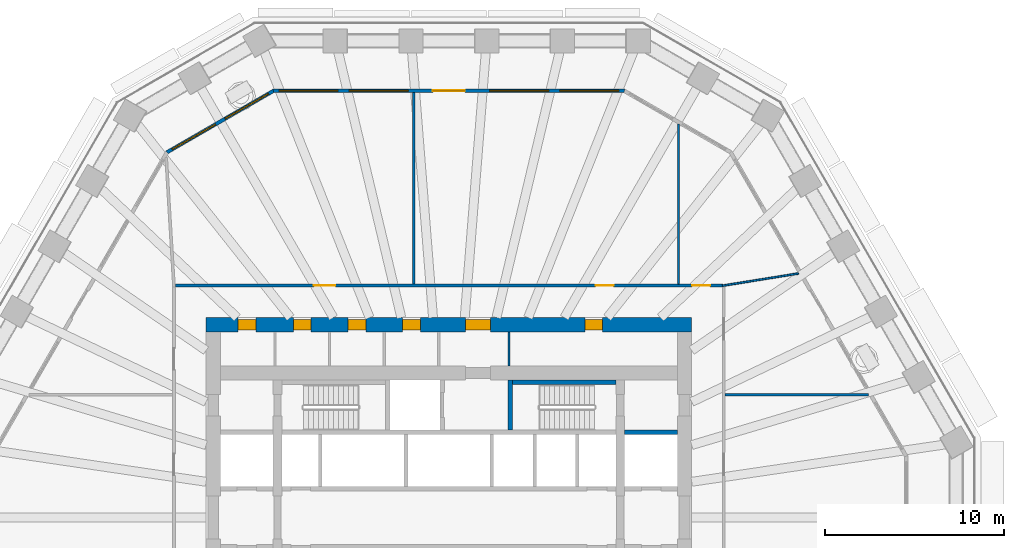
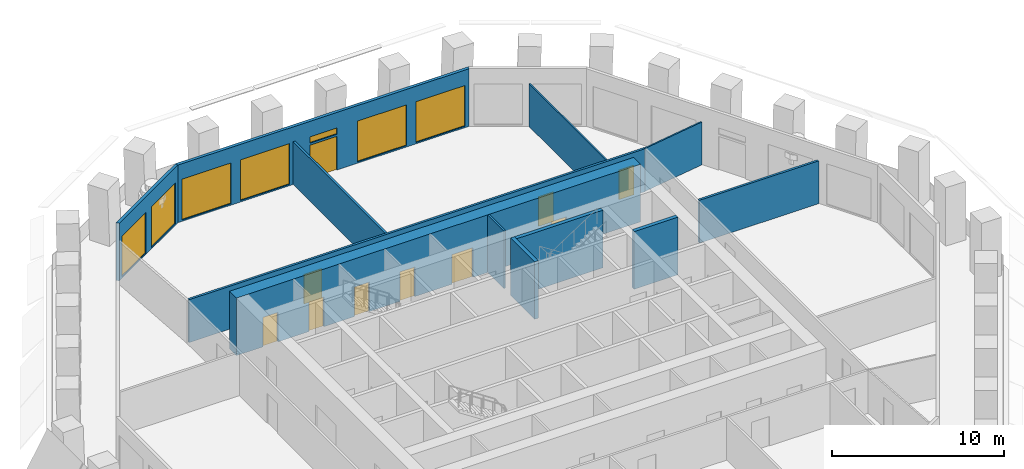
# One storey, part 7 of 12: 12 walls, 10 doors, 7 windows, 17 openings.
"""IFC4 building model written with IfcOpenShell, lengths in metres."""

import ifcopenshell
import ifcopenshell.guid

model = None  # the IFC model being written
_history = None  # IfcOwnerHistory: only IFC2X3 demands one
_inside = {}  # id of a spatial element -> (the spatial element, [elements in it])
_under = {}  # id of a project, library or spatial element -> (it, [spatial elements below it])
_declared = {}  # id of a project -> (the project, [libraries it declares])
_typed = {}  # id of a type object -> (the type object, [elements of that type])
_made_of = {}  # id of a material, layer set ... -> (it, [elements and type objects made of it])


def new_model(schema):
    """Start an empty IFC model of exactly this schema.

    Asked for "IFC4X3", IfcOpenShell would pick the latest addendum, in which some entities
    have other attributes; the version numbers below select the first issue.
    IFC2X3 requires an IfcOwnerHistory on every rooted entity: one is made here for all.
    """
    global model, _history
    if schema == "IFC4X3":
        model = ifcopenshell.file(schema_version=(4, 3, 0, 0))
    else:
        model = ifcopenshell.file(schema=schema)
    _inside.clear()
    _under.clear()
    _declared.clear()
    _typed.clear()
    _made_of.clear()
    _history = None
    if model.schema == "IFC2X3":
        org = make("IfcOrganization", Name="unknown")
        user = make(
            "IfcPersonAndOrganization",
            ThePerson=make("IfcPerson", FamilyName="unknown"),
            TheOrganization=org,
        )
        app = make(
            "IfcApplication",
            ApplicationDeveloper=org,
            Version="unknown",
            ApplicationFullName="unknown",
            ApplicationIdentifier="unknown",
        )
        _history = make(
            "IfcOwnerHistory",
            OwningUser=user,
            OwningApplication=app,
            ChangeAction="ADDED",
            CreationDate=0,
        )
    return model


def make(cls, **values):
    """One entity of the class cls with the attributes given. An attribute that is None is left unset."""
    return model.create_entity(
        cls, **{name: value for name, value in values.items() if value is not None}
    )


def rooted(cls, **values):
    """An entity with a GlobalId (a new one), such as an element, a storey or a relation."""
    return make(cls, GlobalId=ifcopenshell.guid.new(), OwnerHistory=_history, **values)


def si_unit(unit_type, name, prefix=None):
    """IfcSIUnit, for example si_unit("LENGTHUNIT", "METRE", prefix="MILLI")."""
    return make("IfcSIUnit", UnitType=unit_type, Prefix=prefix, Name=name)


def assignment(units):
    """IfcUnitAssignment: the units of a project."""
    return None if units is None else make("IfcUnitAssignment", Units=units)


def point(xyz):
    """IfcCartesianPoint."""
    return None if xyz is None else make("IfcCartesianPoint", Coordinates=xyz)


def direction(xyz):
    """IfcDirection."""
    return None if xyz is None else make("IfcDirection", DirectionRatios=xyz)


def frame(location, z_axis=None, x_axis=None):
    """IfcAxis2Placement3D, a coordinate frame: its origin and axes. An axis left out is left unset."""
    return make(
        "IfcAxis2Placement3D",
        Location=point(location),
        Axis=direction(z_axis),
        RefDirection=direction(x_axis),
    )


def frame_2d(location, x_axis=None):
    """IfcAxis2Placement2D, a coordinate frame in the plane: its origin and x axis."""
    return make(
        "IfcAxis2Placement2D", Location=point(location), RefDirection=direction(x_axis)
    )


def origin():
    """The frame at (0, 0, 0) with its axes left unset."""
    return frame((0.0, 0.0, 0.0))


def place(relative_to, where):
    """IfcLocalPlacement: puts the frame where relative to a parent placement (None: the world)."""
    return make(
        "IfcLocalPlacement", PlacementRelTo=relative_to, RelativePlacement=where
    )


def context(
    kind, dimensions, precision=None, world=None, true_north=None, identifier=None
):
    """IfcGeometricRepresentationContext, for example the 3D "Model" context."""
    return make(
        "IfcGeometricRepresentationContext",
        ContextIdentifier=identifier,
        ContextType=kind,
        CoordinateSpaceDimension=dimensions,
        Precision=precision,
        WorldCoordinateSystem=world,
        TrueNorth=true_north,
    )


def subcontext(parent, identifier, kind, view, scale=None):
    """IfcGeometricRepresentationSubContext, for example "Body" below "Model"."""
    return make(
        "IfcGeometricRepresentationSubContext",
        ContextIdentifier=identifier,
        ContextType=kind,
        ParentContext=parent,
        TargetScale=scale,
        TargetView=view,
    )


def project(units=None, contexts=None):
    """IfcProject with its units and contexts."""
    return rooted(
        "IfcProject",
        Name="project",
        RepresentationContexts=contexts,
        UnitsInContext=assignment(units),
    )


def spatial(cls, under=None, at=None, **own):
    """A site, building, storey or space (cls), placed at a placement, below another one or the project."""
    s = rooted(cls, ObjectPlacement=at, **own)
    if under is not None:
        _under.setdefault(under.id(), (under, []))[1].append(s)
    return s


def polyline(points):
    """IfcPolyline through the points."""
    return make("IfcPolyline", Points=[point(p) for p in points])


def profile(cls, at=None, kind="AREA", **sizes):
    """A parametric profile (cls). Its sizes go by their IFC names, for example OverallWidth=200.0."""
    return make(cls, ProfileType=kind, Position=at, **sizes)


def rectangle(**sizes):
    """IfcRectangleProfileDef."""
    return profile("IfcRectangleProfileDef", **sizes)


def outline(outer, holes=None, kind="AREA"):
    """IfcArbitraryClosedProfileDef: a profile drawn as a closed curve; with holes, ...WithVoids."""
    if holes is None:
        return make("IfcArbitraryClosedProfileDef", ProfileType=kind, OuterCurve=outer)
    return make(
        "IfcArbitraryProfileDefWithVoids",
        ProfileType=kind,
        OuterCurve=outer,
        InnerCurves=holes,
    )


def extrude(swept, where, along, depth):
    """IfcExtrudedAreaSolid: the profile swept, set in the frame where, extruded along a direction by depth."""
    return make(
        "IfcExtrudedAreaSolid",
        SweptArea=swept,
        Position=where,
        ExtrudedDirection=direction(along),
        Depth=depth,
    )


def shape(context_of_items, identifier, shape_type, items):
    """IfcShapeRepresentation: the items that make up one representation, for example the "Body"."""
    return make(
        "IfcShapeRepresentation",
        ContextOfItems=context_of_items,
        RepresentationIdentifier=identifier,
        RepresentationType=shape_type,
        Items=items,
    )


def material(Name=None, Category=None):
    """IfcMaterial."""
    return make("IfcMaterial", Name=Name, Category=Category)


def layer(
    of_material, thickness, ventilated=None, Name=None, Category=None, Priority=None
):
    """IfcMaterialLayer: one layer of a wall or slab, of a material (None: an air gap)."""
    return make(
        "IfcMaterialLayer",
        Material=of_material,
        LayerThickness=thickness,
        IsVentilated=ventilated,
        Name=Name,
        Category=Category,
        Priority=Priority,
    )


def layer_set(layers, Name=None):
    """IfcMaterialLayerSet."""
    return make("IfcMaterialLayerSet", MaterialLayers=layers, LayerSetName=Name)


def made_of(thing, what):
    """Note that an element or type object is made of a material, layer set ...; save() writes the relation."""
    if what is not None:
        _made_of.setdefault(what.id(), (what, []))[1].append(thing)
    return thing


def type_object(cls, material=None, **own):
    """A type object (cls), such as IfcWallType, which elements share."""
    return made_of(rooted(cls, **own), material)


def element(
    cls,
    number,
    at=None,
    inside=None,
    cuts=None,
    type_object=None,
    material=None,
    context=None,
    identifier="Body",
    shape_type=None,
    held_by="IfcProductDefinitionShape",
    body=None,
    shapes=None,
    **own,
):
    """One element of the class cls, such as IfcWall. Its Tag is "e" and its number.

    at: its placement. inside: the storey or other place that contains it. cuts: it is an
    opening in that element (IfcRelVoidsElement). A single representation is given by context,
    identifier, shape_type and body (its items); several are given by shapes. held_by: the class
    of the entity that holds the representations. save() writes the other relations.
    """
    e = rooted(cls, Tag="e%d" % number, ObjectPlacement=at, **own)
    if body is not None:
        shapes = [shape(context, identifier, shape_type, body)]
    if shapes is not None:
        e.Representation = make(held_by, Representations=shapes)
    if inside is not None:
        _inside.setdefault(inside.id(), (inside, []))[1].append(e)
    if cuts is not None:
        rooted(
            "IfcRelVoidsElement", RelatingBuildingElement=cuts, RelatedOpeningElement=e
        )
    if type_object is not None:
        _typed.setdefault(type_object.id(), (type_object, []))[1].append(e)
    return made_of(e, material)


def fill(opening, filler):
    """IfcRelFillsElement: the door or window that sits in an opening."""
    return rooted(
        "IfcRelFillsElement",
        RelatingOpeningElement=opening,
        RelatedBuildingElement=filler,
    )


def aggregate(whole, parts):
    """IfcRelAggregates: a whole, such as a stair, and the parts it consists of."""
    return rooted("IfcRelAggregates", RelatingObject=whole, RelatedObjects=parts)


def save(model, path):
    """Write the relations noted so far, then the file.

    IfcRelAggregates (storeys below a building ...), IfcRelContainedInSpatialStructure (elements
    in a storey), IfcRelDefinesByType, IfcRelAssociatesMaterial and IfcRelDeclares: one each for
    every whole, place, type object, material and project.
    """
    for whole, parts in _under.values():
        aggregate(whole, parts)
    for where, things in _inside.values():
        rooted(
            "IfcRelContainedInSpatialStructure",
            RelatedElements=things,
            RelatingStructure=where,
        )
    for kind, things in _typed.values():
        rooted("IfcRelDefinesByType", RelatedObjects=things, RelatingType=kind)
    for what, things in _made_of.values():
        rooted("IfcRelAssociatesMaterial", RelatedObjects=things, RelatingMaterial=what)
    for by, libraries in _declared.values():
        rooted("IfcRelDeclares", RelatingContext=by, RelatedDefinitions=libraries)
    model.write(path)


model = new_model("IFC4")

# Units and contexts
model_context = context("Model", 3, precision=1e-05, world=origin(), true_north=direction((0.0, 1.0)))
body_context = subcontext(model_context, "Body", "Model", "MODEL_VIEW")
ifc_project = project(units=[si_unit("LENGTHUNIT", "METRE"), si_unit("AREAUNIT", "SQUARE_METRE"), si_unit("VOLUMEUNIT", "CUBIC_METRE"), si_unit("PLANEANGLEUNIT", "RADIAN"), si_unit("MASSUNIT", "GRAM", prefix="KILO")], contexts=[model_context])

# Site, building, storey
site_placement = place(None, origin())
site = spatial("IfcSite", under=ifc_project, at=site_placement, CompositionType="ELEMENT")
building_placement = place(site_placement, origin())
building = spatial("IfcBuilding", under=site, at=building_placement, Name="Frailejon Research Tower", CompositionType="ELEMENT")
storey_placement = place(building_placement, frame((0.0, 0.0, 80.800048828125)))
storey = spatial("IfcBuildingStorey", under=building, at=storey_placement, Name="L17", CompositionType="ELEMENT", Elevation=80.800048828125)

# Wall
ifc_material_1 = material(Name="Plasterboard on steel studs", Category="steel")
ifc_layer_1 = layer(ifc_material_1, 0.125)
ifc_layer_set_1 = layer_set([ifc_layer_1], Name="Core partition 125")
wall_type_1 = type_object("IfcWallType", Name="Core partition 125", PredefinedType="PARTITIONING", material=ifc_layer_set_1)
wall_1_placement = place(storey_placement, frame((3.362548828125, 8.5, 0.0), z_axis=(0.0, 0.0, 1.0), x_axis=(0.0, 1.0, 0.0)))
element("IfcWall", 1, at=wall_1_placement, inside=storey, type_object=wall_type_1, Name="Core partition", PredefinedType="PARTITIONING", context=body_context, shape_type="SweptSolid", body=[
    extrude(rectangle(XDim=1.89990234375, YDim=0.125, at=frame_2d((0.949951171875, 0.0))), origin(), (0.0, 0.0, 1.0), 4.099853515625),
])

# Wall, openings, doors
ifc_material_2 = material(Name="Concrete C70/85", Category="concrete")
ifc_layer_2 = layer(ifc_material_2, 0.800048828125)
ifc_layer_set_2 = layer_set([ifc_layer_2], Name="Core shear wall 800 C70/85")
wall_type_2 = type_object("IfcWallType", Name="Core shear wall 800 C70/85", PredefinedType="SHEAR", material=ifc_layer_set_2)
wall_2_placement = place(storey_placement, frame((-13.60009765625, 10.800048828125, 0.0), z_axis=(0.0, 0.0, 1.0), x_axis=(1.0, 0.0, 0.0)))
wall_2 = element("IfcWall", 2, at=wall_2_placement, inside=storey, type_object=wall_type_2, Name="Core shear wall", PredefinedType="SHEAR", context=body_context, shape_type="SweptSolid", body=[
    extrude(rectangle(XDim=27.2001953125, YDim=0.800048828125, at=frame_2d((13.60009765625, 0.0))), origin(), (0.0, 0.0, 1.0), 4.099853515625),
])
opening_1_placement = place(wall_2_placement, frame((1.79833984375, 0.0, 0.0)))
opening_1 = element("IfcOpeningElement", 3, at=opening_1_placement, cuts=wall_2, Name="Opening D4", PredefinedType="OPENING", context=body_context, shape_type="SweptSolid", body=[
    extrude(rectangle(XDim=1.0, YDim=2.10009765625, at=frame_2d((0.5, 1.050048828125))), frame((0.0, 0.409912109375, 0.0), z_axis=(0.0, -1.0, 0.0), x_axis=(1.0, 0.0, 0.0)), (0.0, 0.0, 1.0), 0.820068359375),
])
opening_2_placement = place(wall_2_placement, frame((4.88916015625, 0.0, 0.0)))
opening_2 = element("IfcOpeningElement", 4, at=opening_2_placement, cuts=wall_2, Name="Opening D4", PredefinedType="OPENING", context=body_context, shape_type="SweptSolid", body=[
    extrude(rectangle(XDim=1.0, YDim=2.10009765625, at=frame_2d((0.5, 1.050048828125))), frame((0.0, 0.409912109375, 0.0), z_axis=(0.0, -1.0, 0.0), x_axis=(1.0, 0.0, 0.0)), (0.0, 0.0, 1.0), 0.820068359375),
])
opening_3_placement = place(wall_2_placement, frame((7.948486328125, 0.0, 0.0)))
opening_3 = element("IfcOpeningElement", 5, at=opening_3_placement, cuts=wall_2, Name="Opening D4", PredefinedType="OPENING", context=body_context, shape_type="SweptSolid", body=[
    extrude(rectangle(XDim=1.0, YDim=2.10009765625, at=frame_2d((0.5, 1.050048828125))), frame((0.0, 0.409912109375, 0.0), z_axis=(0.0, -1.0, 0.0), x_axis=(1.0, 0.0, 0.0)), (0.0, 0.0, 1.0), 0.820068359375),
])
opening_4_placement = place(wall_2_placement, frame((11.0078125, 0.0, 0.0)))
opening_4 = element("IfcOpeningElement", 6, at=opening_4_placement, cuts=wall_2, Name="Opening D4", PredefinedType="OPENING", context=body_context, shape_type="SweptSolid", body=[
    extrude(rectangle(XDim=1.0, YDim=2.10009765625, at=frame_2d((0.5, 1.050048828125))), frame((0.0, 0.409912109375, 0.0), z_axis=(0.0, -1.0, 0.0), x_axis=(1.0, 0.0, 0.0)), (0.0, 0.0, 1.0), 0.820068359375),
])
opening_5_placement = place(wall_2_placement, frame((21.21240234375, 0.0, 0.0)))
opening_5 = element("IfcOpeningElement", 7, at=opening_5_placement, cuts=wall_2, Name="Opening D4", PredefinedType="OPENING", context=body_context, shape_type="SweptSolid", body=[
    extrude(rectangle(XDim=1.0, YDim=2.10009765625, at=frame_2d((0.5, 1.050048828125))), frame((0.0, 0.409912109375, 0.0), z_axis=(0.0, -1.0, 0.0), x_axis=(1.0, 0.0, 0.0)), (0.0, 0.0, 1.0), 0.820068359375),
])
opening_6_placement = place(wall_2_placement, frame((14.52490234375, 0.0, 0.0)))
opening_6 = element("IfcOpeningElement", 8, at=opening_6_placement, cuts=wall_2, Name="Opening D9", PredefinedType="OPENING", context=body_context, shape_type="SweptSolid", body=[
    extrude(rectangle(XDim=1.39990234375, YDim=2.10009765625, at=frame_2d((0.699951171875, 1.050048828125))), frame((0.0, 0.409912109375, 0.0), z_axis=(0.0, -1.0, 0.0), x_axis=(1.0, 0.0, 0.0)), (0.0, 0.0, 1.0), 0.820068359375),
])
ifc_material_3 = material(Name="Steel", Category="steel")
door_type_1 = type_object("IfcDoorType", Name="Goods lobby door", OperationType="DOUBLE_DOOR_SINGLE_SWING", PredefinedType="DOOR", material=ifc_material_3)
door_1_placement = place(opening_6_placement, origin())
door_1 = element("IfcDoor", 9, at=door_1_placement, inside=storey, type_object=door_type_1, Name="Passage door", OperationType="DOUBLE_DOOR_SINGLE_SWING", OverallHeight=2.10009765625, OverallWidth=1.39990234375, PredefinedType="DOOR", context=body_context, shape_type="SweptSolid", body=[
    extrude(rectangle(XDim=1.39990234375, YDim=2.10009765625, at=frame_2d((0.699951171875, 1.050048828125))), frame((0.0, 0.300048828125, 0.0), z_axis=(0.0, -1.0, 0.0), x_axis=(1.0, 0.0, 0.0)), (0.0, 0.0, 1.0), 0.60009765625),
])
fill(opening_6, door_1)
ifc_material_4 = material(Name="Steel", Category="steel")
door_type_2 = type_object("IfcDoorType", Name="Service door", OperationType="SINGLE_SWING_LEFT", PredefinedType="DOOR", material=ifc_material_4)
door_2_placement = place(opening_1_placement, origin())
door_2 = element("IfcDoor", 10, at=door_2_placement, inside=storey, type_object=door_type_2, Name="Room door", OperationType="SINGLE_SWING_RIGHT", OverallHeight=2.10009765625, OverallWidth=1.0, PredefinedType="DOOR", context=body_context, shape_type="SweptSolid", body=[
    extrude(rectangle(XDim=1.0, YDim=2.10009765625, at=frame_2d((0.5, 1.050048828125))), frame((0.0, 0.300048828125, 0.0), z_axis=(0.0, -1.0, 0.0), x_axis=(1.0, 0.0, 0.0)), (0.0, 0.0, 1.0), 0.60009765625),
])
fill(opening_1, door_2)
door_3_placement = place(opening_2_placement, origin())
door_3 = element("IfcDoor", 11, at=door_3_placement, inside=storey, type_object=door_type_2, Name="Room door", OperationType="SINGLE_SWING_LEFT", OverallHeight=2.10009765625, OverallWidth=1.0, PredefinedType="DOOR", context=body_context, shape_type="SweptSolid", body=[
    extrude(rectangle(XDim=1.0, YDim=2.10009765625, at=frame_2d((0.5, 1.050048828125))), frame((0.0, 0.300048828125, 0.0), z_axis=(0.0, -1.0, 0.0), x_axis=(1.0, 0.0, 0.0)), (0.0, 0.0, 1.0), 0.60009765625),
])
fill(opening_2, door_3)
door_4_placement = place(opening_3_placement, origin())
door_4 = element("IfcDoor", 12, at=door_4_placement, inside=storey, type_object=door_type_2, Name="Room door", OperationType="SINGLE_SWING_RIGHT", OverallHeight=2.10009765625, OverallWidth=1.0, PredefinedType="DOOR", context=body_context, shape_type="SweptSolid", body=[
    extrude(rectangle(XDim=1.0, YDim=2.10009765625, at=frame_2d((0.5, 1.050048828125))), frame((0.0, 0.300048828125, 0.0), z_axis=(0.0, -1.0, 0.0), x_axis=(1.0, 0.0, 0.0)), (0.0, 0.0, 1.0), 0.60009765625),
])
fill(opening_3, door_4)
door_5_placement = place(opening_4_placement, origin())
door_5 = element("IfcDoor", 13, at=door_5_placement, inside=storey, type_object=door_type_2, Name="Room door", OperationType="SINGLE_SWING_LEFT", OverallHeight=2.10009765625, OverallWidth=1.0, PredefinedType="DOOR", context=body_context, shape_type="SweptSolid", body=[
    extrude(rectangle(XDim=1.0, YDim=2.10009765625, at=frame_2d((0.5, 1.050048828125))), frame((0.0, 0.300048828125, 0.0), z_axis=(0.0, -1.0, 0.0), x_axis=(1.0, 0.0, 0.0)), (0.0, 0.0, 1.0), 0.60009765625),
])
fill(opening_4, door_5)
door_6_placement = place(opening_5_placement, origin())
door_6 = element("IfcDoor", 14, at=door_6_placement, inside=storey, type_object=door_type_2, Name="Room door", OperationType="SINGLE_SWING_RIGHT", OverallHeight=2.10009765625, OverallWidth=1.0, PredefinedType="DOOR", context=body_context, shape_type="SweptSolid", body=[
    extrude(rectangle(XDim=1.0, YDim=2.10009765625, at=frame_2d((0.5, 1.050048828125))), frame((0.0, 0.300048828125, 0.0), z_axis=(0.0, -1.0, 0.0), x_axis=(1.0, 0.0, 0.0)), (0.0, 0.0, 1.0), 0.60009765625),
])
fill(opening_5, door_6)

ifc_material_5 = material(Name="Gypsum board and masonry partition", Category="masonry")
ifc_layer_3 = layer(ifc_material_5, 0.14990234375)
ifc_layer_set_3 = layer_set([ifc_layer_3], Name="Corridor wall EI 60, gypsum on steel studs 150")
wall_type_3 = type_object("IfcWallType", Name="Corridor wall EI 60, gypsum on steel studs 150", PredefinedType="PARTITIONING", material=ifc_layer_set_3)
wall_3_placement = place(storey_placement, frame((-15.324951171875, 13.0, 0.0), z_axis=(0.0, 0.0, 1.0), x_axis=(1.0, 0.0, 0.0)))
wall_3 = element("IfcWall", 15, at=wall_3_placement, inside=storey, type_object=wall_type_3, Name="T:IW:L17:002", PredefinedType="PARTITIONING", context=body_context, shape_type="SweptSolid", body=[
    extrude(rectangle(XDim=30.675048828125, YDim=0.14990234375, at=frame_2d((15.33740234375, 0.0))), origin(), (0.0, 0.0, 1.0), 3.050048828125),
])
opening_7_placement = place(wall_3_placement, frame((28.953125, 0.0, 0.0)))
opening_7 = element("IfcOpeningElement", 16, at=opening_7_placement, cuts=wall_3, Name="Opening D1485", PredefinedType="OPENING", context=body_context, shape_type="SweptSolid", body=[
    extrude(rectangle(XDim=1.0, YDim=2.10009765625, at=frame_2d((0.5, 1.050048828125))), frame((0.0, 0.0849609375, 0.0), z_axis=(0.0, -1.0, 0.0), x_axis=(1.0, 0.0, 0.0)), (0.0, 0.0, 1.0), 0.169921875),
])
opening_8_placement = place(wall_3_placement, frame((23.549560546875, 0.0, 0.0)))
opening_8 = element("IfcOpeningElement", 17, at=opening_8_placement, cuts=wall_3, Name="Opening D1486", PredefinedType="OPENING", context=body_context, shape_type="SweptSolid", body=[
    extrude(rectangle(XDim=1.0, YDim=2.10009765625, at=frame_2d((0.5, 1.050048828125))), frame((0.0, 0.0849609375, 0.0), z_axis=(0.0, -1.0, 0.0), x_axis=(1.0, 0.0, 0.0)), (0.0, 0.0, 1.0), 0.169921875),
])
opening_9_placement = place(wall_3_placement, frame((7.768798828125, 0.0, 0.0)))
opening_9 = element("IfcOpeningElement", 18, at=opening_9_placement, cuts=wall_3, Name="Opening D1487", PredefinedType="OPENING", context=body_context, shape_type="SweptSolid", body=[
    extrude(rectangle(XDim=1.199951171875, YDim=2.10009765625, at=frame_2d((0.60009765625, 1.050048828125))), frame((0.0, 0.0849609375, 0.0), z_axis=(0.0, -1.0, 0.0), x_axis=(1.0, 0.0, 0.0)), (0.0, 0.0, 1.0), 0.169921875),
])
ifc_material_6 = material(Name="Timber door leaf", Category="wood")
door_type_3 = type_object("IfcDoorType", Name="Door laboratory, timber, vision panel 1200", OperationType="NOTDEFINED", PredefinedType="DOOR", material=ifc_material_6)
door_7_placement = place(opening_9_placement, origin())
door_7 = element("IfcDoor", 19, at=door_7_placement, inside=storey, type_object=door_type_3, Name="D1487", OperationType="DOUBLE_DOOR_SINGLE_SWING", OverallHeight=2.10009765625, OverallWidth=1.199951171875, PredefinedType="DOOR", context=body_context, shape_type="SweptSolid", body=[
    extrude(rectangle(XDim=1.199951171875, YDim=2.10009765625, at=frame_2d((0.60009765625, 1.050048828125))), frame((0.0, 0.02490234375, 0.0), z_axis=(0.0, -1.0, 0.0), x_axis=(1.0, 0.0, 0.0)), (0.0, 0.0, 1.0), 0.050048828125),
])
fill(opening_9, door_7)
ifc_material_7 = material(Name="Timber door leaf", Category="wood")
door_type_4 = type_object("IfcDoorType", Name="Door single leaf, timber, steel frame 1000", OperationType="NOTDEFINED", PredefinedType="DOOR", material=ifc_material_7)
door_8_placement = place(opening_7_placement, origin())
door_8 = element("IfcDoor", 20, at=door_8_placement, inside=storey, type_object=door_type_4, Name="D1485", OperationType="SINGLE_SWING_LEFT", OverallHeight=2.10009765625, OverallWidth=1.0, PredefinedType="DOOR", context=body_context, shape_type="SweptSolid", body=[
    extrude(rectangle(XDim=1.0, YDim=2.10009765625, at=frame_2d((0.5, 1.050048828125))), frame((0.0, 0.02490234375, 0.0), z_axis=(0.0, -1.0, 0.0), x_axis=(1.0, 0.0, 0.0)), (0.0, 0.0, 1.0), 0.050048828125),
])
fill(opening_7, door_8)
door_9_placement = place(opening_8_placement, origin())
door_9 = element("IfcDoor", 21, at=door_9_placement, inside=storey, type_object=door_type_4, Name="D1486", OperationType="SINGLE_SWING_RIGHT", OverallHeight=2.10009765625, OverallWidth=1.0, PredefinedType="DOOR", context=body_context, shape_type="SweptSolid", body=[
    extrude(rectangle(XDim=1.0, YDim=2.10009765625, at=frame_2d((0.5, 1.050048828125))), frame((0.0, 0.02490234375, 0.0), z_axis=(0.0, -1.0, 0.0), x_axis=(1.0, 0.0, 0.0)), (0.0, 0.0, 1.0), 0.050048828125),
])
fill(opening_8, door_9)

# Walls
ifc_material_8 = material(Name="Gypsum board and masonry partition", Category="masonry")
ifc_layer_4 = layer(ifc_material_8, 0.14990234375)
ifc_layer_set_4 = layer_set([ifc_layer_4], Name="Laboratory partition, blockwork 150")
wall_type_4 = type_object("IfcWallType", Name="Laboratory partition, blockwork 150", PredefinedType="PARTITIONING", material=ifc_layer_set_4)
wall_4_placement = place(storey_placement, frame((15.47509765625, 6.87841796875, 0.0), z_axis=(0.0, 0.0, 1.0), x_axis=(1.0, 0.0, 0.0)))
element("IfcWall", 22, at=wall_4_placement, inside=storey, type_object=wall_type_4, Name="T:IW:L17:006", PredefinedType="PARTITIONING", context=body_context, shape_type="SweptSolid", body=[
    extrude(rectangle(XDim=8.035400390625, YDim=0.14990234375, at=frame_2d((4.017578125, 0.0))), origin(), (0.0, 0.0, 1.0), 3.050048828125),
])
wall_5_placement = place(storey_placement, frame((-1.97119140625, 13.074951171875, 0.0), z_axis=(0.0, 0.0, 1.0), x_axis=(0.0, 1.0, 0.0)))
element("IfcWall", 23, at=wall_5_placement, inside=storey, type_object=wall_type_4, Name="T:IW:L17:010", PredefinedType="PARTITIONING", context=body_context, shape_type="SweptSolid", body=[
    extrude(rectangle(XDim=10.72509765625, YDim=0.14990234375, at=frame_2d((5.362548828125, 0.0))), origin(), (0.0, 0.0, 1.0), 3.050048828125),
])
ifc_material_9 = material(Name="Gypsum board and masonry partition", Category="masonry")
ifc_layer_5 = layer(ifc_material_9, 0.10009765625)
ifc_layer_set_5 = layer_set([ifc_layer_5], Name="Partition, gypsum on steel studs 100")
wall_type_5 = type_object("IfcWallType", Name="Partition, gypsum on steel studs 100", PredefinedType="PARTITIONING", material=ifc_layer_set_5)
wall_6_placement = place(storey_placement, frame((15.325927734375, 12.988037109375, 0.0), z_axis=(0.0, 0.0, 1.0), x_axis=(0.987325307202, 0.158709601971, 0.0)))
element("IfcWall", 24, at=wall_6_placement, inside=storey, type_object=wall_type_5, Name="T:IW:L17:014", PredefinedType="PARTITIONING", context=body_context, shape_type="SweptSolid", body=[
    extrude(rectangle(XDim=4.31640625, YDim=0.10009765625, at=frame_2d((2.158203125, 0.0))), origin(), (0.0, 0.0, 1.0), 3.050048828125),
])
wall_7_placement = place(storey_placement, frame((12.8564453125, 13.074951171875, 0.0), z_axis=(0.0, 0.0, 1.0), x_axis=(0.0, 1.0, 0.0)))
element("IfcWall", 25, at=wall_7_placement, inside=storey, type_object=wall_type_5, Name="T:IW:L17:015", PredefinedType="PARTITIONING", context=body_context, shape_type="SweptSolid", body=[
    extrude(rectangle(XDim=8.962158203125, YDim=0.10009765625, at=frame_2d((4.48095703125, 0.0))), origin(), (0.0, 0.0, 1.0), 3.050048828125),
])
ifc_material_10 = material(Name="Concrete C70/85", Category="concrete")
ifc_layer_6 = layer(ifc_material_10, 0.25)
ifc_layer_set_6 = layer_set([ifc_layer_6], Name="Shaft wall 250 C70/85")
wall_type_6 = type_object("IfcWallType", Name="Shaft wall 250 C70/85", PredefinedType="SOLIDWALL", material=ifc_layer_set_6)
wall_8_placement = place(storey_placement, frame((9.85009765625, 4.77490234375, 0.0), z_axis=(0.0, 0.0, 1.0), x_axis=(1.0, 0.0, 0.0)))
element("IfcWall", 26, at=wall_8_placement, inside=storey, type_object=wall_type_6, Name="Shaft wall", PredefinedType="SOLIDWALL", context=body_context, shape_type="SweptSolid", body=[
    extrude(rectangle(XDim=2.949951171875, YDim=0.25, at=frame_2d((1.47509765625, 0.0))), origin(), (0.0, 0.0, 1.0), 4.099853515625),
])
wall_9_placement = place(storey_placement, frame((3.550048828125, 7.574951171875, 0.0), z_axis=(0.0, 0.0, 1.0), x_axis=(1.0, 0.0, 0.0)))
element("IfcWall", 27, at=wall_9_placement, inside=storey, type_object=wall_type_6, Name="Shaft wall", PredefinedType="SOLIDWALL", context=body_context, shape_type="SweptSolid", body=[
    extrude(rectangle(XDim=5.800048828125, YDim=0.25, at=frame_2d((2.89990234375, 0.0))), origin(), (0.0, 0.0, 1.0), 4.099853515625),
])
wall_10_placement = place(storey_placement, frame((3.425048828125, 4.89990234375, 0.0), z_axis=(0.0, 0.0, 1.0), x_axis=(0.0, 1.0, 0.0)))
element("IfcWall", 28, at=wall_10_placement, inside=storey, type_object=wall_type_6, Name="Shaft wall", PredefinedType="SOLIDWALL", context=body_context, shape_type="SweptSolid", body=[
    extrude(rectangle(XDim=2.800048828125, YDim=0.25, at=frame_2d((1.39990234375, 0.0))), origin(), (0.0, 0.0, 1.0), 4.099853515625),
])

# Wall, openings, door, windows
ifc_material_11 = material(Name="Concrete C40/50 precast window wall panel", Category="concrete")
ifc_layer_7 = layer(ifc_material_11, 0.199951171875)
ifc_layer_set_7 = layer_set([ifc_layer_7], Name="Window wall 200")
wall_type_7 = type_object("IfcWallType", Name="Window wall 200", PredefinedType="SOLIDWALL", material=ifc_layer_set_7)
wall_11_placement = place(storey_placement, frame((9.82958984375, 23.89990234375, 0.0), z_axis=(0.0, 0.0, 1.0), x_axis=(-1.0, 0.0, 0.0)))
wall_11 = element("IfcWall", 29, at=wall_11_placement, inside=storey, type_object=wall_type_7, Name="Exterior wall L17", PredefinedType="SOLIDWALL", context=body_context, shape_type="SweptSolid", body=[
    extrude(outline(polyline([(-0.02685546875, -0.10009765625), (1.0107421875, -0.10009765625), (2.048095703125, -0.10009765625), (3.085693359375, -0.10009765625), (4.123291015625, -0.10009765625), (5.16064453125, -0.10009765625), (6.1982421875, -0.10009765625), (7.23583984375, -0.10009765625), (8.273193359375, -0.10009765625), (9.310791015625, -0.10009765625), (10.348388671875, -0.10009765625), (11.385986328125, -0.10009765625), (12.42333984375, -0.10009765625), (13.4609375, -0.10009765625), (14.49853515625, -0.10009765625), (15.535888671875, -0.10009765625), (16.573486328125, -0.10009765625), (17.611083984375, -0.10009765625), (18.6484375, -0.10009765625), (19.68603515625, -0.10009765625), (19.63232421875, 0.10009765625), (18.600341796875, 0.10009765625), (17.568603515625, 0.10009765625), (16.53662109375, 0.10009765625), (15.5048828125, 0.10009765625), (14.472900390625, 0.10009765625), (13.441162109375, 0.10009765625), (12.4091796875, 0.10009765625), (11.37744140625, 0.10009765625), (10.345458984375, 0.10009765625), (9.313720703125, 0.10009765625), (8.28173828125, 0.10009765625), (7.25, 0.10009765625), (6.218017578125, 0.10009765625), (5.186279296875, 0.10009765625), (4.154296875, 0.10009765625), (3.12255859375, 0.10009765625), (2.090576171875, 0.10009765625), (1.058837890625, 0.10009765625), (0.02685546875, 0.10009765625), (-0.02685546875, -0.10009765625)])), origin(), (0.0, 0.0, 1.0), 4.099853515625),
])
opening_10_placement = place(wall_11_placement, frame((0.31591796875, 0.0, 0.10009765625)))
opening_10 = element("IfcOpeningElement", 30, at=opening_10_placement, cuts=wall_11, Name="Opening W5", PredefinedType="OPENING", context=body_context, shape_type="SweptSolid", body=[
    extrude(rectangle(XDim=3.300048828125, YDim=2.89990234375, at=frame_2d((1.64990234375, 1.449951171875))), frame((0.0, 0.10986328125, 0.0), z_axis=(0.0, -1.0, 0.0), x_axis=(1.0, 0.0, 0.0)), (0.0, 0.0, 1.0), 0.219970703125),
])
opening_11_placement = place(wall_11_placement, frame((4.247802734375, 0.0, 0.10009765625)))
opening_11 = element("IfcOpeningElement", 31, at=opening_11_placement, cuts=wall_11, Name="Opening W5", PredefinedType="OPENING", context=body_context, shape_type="SweptSolid", body=[
    extrude(rectangle(XDim=3.300048828125, YDim=2.89990234375, at=frame_2d((1.64990234375, 1.449951171875))), frame((0.0, 0.10986328125, 0.0), z_axis=(0.0, -1.0, 0.0), x_axis=(1.0, 0.0, 0.0)), (0.0, 0.0, 1.0), 0.219970703125),
])
opening_12_placement = place(wall_11_placement, frame((8.9296875, 0.0, 0.0)))
opening_12 = element("IfcOpeningElement", 32, at=opening_12_placement, cuts=wall_11, Name="Opening LG17-2", PredefinedType="OPENING", context=body_context, shape_type="SweptSolid", body=[
    extrude(rectangle(XDim=1.800048828125, YDim=2.39990234375, at=frame_2d((0.89990234375, 1.199951171875))), frame((0.0, 0.10986328125, 0.0), z_axis=(0.0, -1.0, 0.0), x_axis=(1.0, 0.0, 0.0)), (0.0, 0.0, 1.0), 0.219970703125),
])
opening_13_placement = place(wall_11_placement, frame((8.9296875, 0.0, 2.550048828125)))
opening_13 = element("IfcOpeningElement", 33, at=opening_13_placement, cuts=wall_11, Name="Opening W1", PredefinedType="OPENING", context=body_context, shape_type="SweptSolid", body=[
    extrude(rectangle(XDim=1.800048828125, YDim=0.449951171875, at=frame_2d((0.89990234375, 0.22509765625))), frame((0.0, 0.10986328125, 0.0), z_axis=(0.0, -1.0, 0.0), x_axis=(1.0, 0.0, 0.0)), (0.0, 0.0, 1.0), 0.219970703125),
])
opening_14_placement = place(wall_11_placement, frame((12.111572265625, 0.0, 0.10009765625)))
opening_14 = element("IfcOpeningElement", 34, at=opening_14_placement, cuts=wall_11, Name="Opening W5", PredefinedType="OPENING", context=body_context, shape_type="SweptSolid", body=[
    extrude(rectangle(XDim=3.300048828125, YDim=2.89990234375, at=frame_2d((1.64990234375, 1.449951171875))), frame((0.0, 0.10986328125, 0.0), z_axis=(0.0, -1.0, 0.0), x_axis=(1.0, 0.0, 0.0)), (0.0, 0.0, 1.0), 0.219970703125),
])
opening_15_placement = place(wall_11_placement, frame((16.043212890625, 0.0, 0.10009765625)))
opening_15 = element("IfcOpeningElement", 35, at=opening_15_placement, cuts=wall_11, Name="Opening W5", PredefinedType="OPENING", context=body_context, shape_type="SweptSolid", body=[
    extrude(rectangle(XDim=3.300048828125, YDim=2.89990234375, at=frame_2d((1.64990234375, 1.449951171875))), frame((0.0, 0.10986328125, 0.0), z_axis=(0.0, -1.0, 0.0), x_axis=(1.0, 0.0, 0.0)), (0.0, 0.0, 1.0), 0.219970703125),
])
ifc_material_12 = material(Name="Aluminium framed glazed door leaf", Category="aluminium")
door_type_5 = type_object("IfcDoorType", Name="Loggia door 1800x2400", OperationType="DOUBLE_DOOR_SINGLE_SWING", PredefinedType="DOOR", material=ifc_material_12)
door_10_placement = place(opening_12_placement, origin())
door_10 = element("IfcDoor", 36, at=door_10_placement, inside=storey, type_object=door_type_5, Name="Door LG17-2", OperationType="DOUBLE_DOOR_SINGLE_SWING", OverallHeight=2.39990234375, OverallWidth=1.800048828125, PredefinedType="DOOR", context=body_context, shape_type="SweptSolid", body=[
    extrude(rectangle(XDim=1.800048828125, YDim=2.39990234375, at=frame_2d((0.89990234375, 1.199951171875))), frame((0.0, 0.02490234375, 0.0), z_axis=(0.0, -1.0, 0.0), x_axis=(1.0, 0.0, 0.0)), (0.0, 0.0, 1.0), 0.050048828125),
])
fill(opening_12, door_10)
ifc_material_13 = material(Name="Aluminium framed double glazing", Category="aluminium")
window_type_1 = type_object("IfcWindowType", Name="Window 1800x450", PartitioningType="SINGLE_PANEL", PredefinedType="WINDOW", material=ifc_material_13)
window_1_placement = place(opening_13_placement, origin())
window_1 = element("IfcWindow", 37, at=window_1_placement, inside=storey, type_object=window_type_1, Name="Window L17", OverallHeight=0.449951171875, OverallWidth=1.800048828125, PartitioningType="SINGLE_PANEL", PredefinedType="WINDOW", context=body_context, shape_type="SweptSolid", body=[
    extrude(rectangle(XDim=1.800048828125, YDim=0.449951171875, at=frame_2d((0.89990234375, 0.22509765625))), frame((0.0, 0.030029296875, 0.0), z_axis=(0.0, -1.0, 0.0), x_axis=(1.0, 0.0, 0.0)), (0.0, 0.0, 1.0), 0.06005859375),
])
fill(opening_13, window_1)
ifc_material_14 = material(Name="Aluminium framed double glazing", Category="aluminium")
window_type_2 = type_object("IfcWindowType", Name="Window 3300x2900", PartitioningType="SINGLE_PANEL", PredefinedType="WINDOW", material=ifc_material_14)
window_2_placement = place(opening_10_placement, origin())
window_2 = element("IfcWindow", 38, at=window_2_placement, inside=storey, type_object=window_type_2, Name="Window L17", OverallHeight=2.89990234375, OverallWidth=3.300048828125, PartitioningType="SINGLE_PANEL", PredefinedType="WINDOW", context=body_context, shape_type="SweptSolid", body=[
    extrude(rectangle(XDim=3.300048828125, YDim=2.89990234375, at=frame_2d((1.64990234375, 1.449951171875))), frame((0.0, 0.030029296875, 0.0), z_axis=(0.0, -1.0, 0.0), x_axis=(1.0, 0.0, 0.0)), (0.0, 0.0, 1.0), 0.06005859375),
])
fill(opening_10, window_2)
window_3_placement = place(opening_11_placement, origin())
window_3 = element("IfcWindow", 39, at=window_3_placement, inside=storey, type_object=window_type_2, Name="Window L17", OverallHeight=2.89990234375, OverallWidth=3.300048828125, PartitioningType="SINGLE_PANEL", PredefinedType="WINDOW", context=body_context, shape_type="SweptSolid", body=[
    extrude(rectangle(XDim=3.300048828125, YDim=2.89990234375, at=frame_2d((1.64990234375, 1.449951171875))), frame((0.0, 0.030029296875, 0.0), z_axis=(0.0, -1.0, 0.0), x_axis=(1.0, 0.0, 0.0)), (0.0, 0.0, 1.0), 0.06005859375),
])
fill(opening_11, window_3)
window_4_placement = place(opening_14_placement, origin())
window_4 = element("IfcWindow", 40, at=window_4_placement, inside=storey, type_object=window_type_2, Name="Window L17", OverallHeight=2.89990234375, OverallWidth=3.300048828125, PartitioningType="SINGLE_PANEL", PredefinedType="WINDOW", context=body_context, shape_type="SweptSolid", body=[
    extrude(rectangle(XDim=3.300048828125, YDim=2.89990234375, at=frame_2d((1.64990234375, 1.449951171875))), frame((0.0, 0.030029296875, 0.0), z_axis=(0.0, -1.0, 0.0), x_axis=(1.0, 0.0, 0.0)), (0.0, 0.0, 1.0), 0.06005859375),
])
fill(opening_14, window_4)
window_5_placement = place(opening_15_placement, origin())
window_5 = element("IfcWindow", 41, at=window_5_placement, inside=storey, type_object=window_type_2, Name="Window L17", OverallHeight=2.89990234375, OverallWidth=3.300048828125, PartitioningType="SINGLE_PANEL", PredefinedType="WINDOW", context=body_context, shape_type="SweptSolid", body=[
    extrude(rectangle(XDim=3.300048828125, YDim=2.89990234375, at=frame_2d((1.64990234375, 1.449951171875))), frame((0.0, 0.030029296875, 0.0), z_axis=(0.0, -1.0, 0.0), x_axis=(1.0, 0.0, 0.0)), (0.0, 0.0, 1.0), 0.06005859375),
])
fill(opening_15, window_5)

# Wall, openings, windows
wall_12_placement = place(storey_placement, frame((-9.82958984375, 23.89990234375, 0.0), z_axis=(0.0, 0.0, 1.0), x_axis=(-0.866029458321, -0.49999297727, 0.0)))
wall_12 = element("IfcWall", 42, at=wall_12_placement, inside=storey, type_object=wall_type_7, Name="Exterior wall L17", PredefinedType="SOLIDWALL", context=body_context, shape_type="SweptSolid", body=[
    extrude(outline(polyline([(-0.02685546875, -0.10009765625), (1.1279296875, -0.10009765625), (2.282470703125, -0.10009765625), (3.437255859375, -0.10009765625), (4.592041015625, -0.10009765625), (5.74658203125, -0.10009765625), (6.9013671875, -0.10009765625), (6.84765625, 0.10009765625), (5.7109375, 0.10009765625), (4.573974609375, 0.10009765625), (3.437255859375, 0.10009765625), (2.300537109375, 0.10009765625), (1.16357421875, 0.10009765625), (0.02685546875, 0.10009765625), (-0.02685546875, -0.10009765625)])), origin(), (0.0, 0.0, 1.0), 4.099853515625),
])
opening_16_placement = place(wall_12_placement, frame((0.318603515625, 0.0, 0.10009765625)))
opening_16 = element("IfcOpeningElement", 43, at=opening_16_placement, cuts=wall_12, Name="Opening W3", PredefinedType="OPENING", context=body_context, shape_type="SweptSolid", body=[
    extrude(rectangle(XDim=2.800048828125, YDim=2.89990234375, at=frame_2d((1.39990234375, 1.449951171875))), frame((0.0, 0.10986328125, 0.0), z_axis=(0.0, -1.0, 0.0), x_axis=(1.0, 0.0, 0.0)), (0.0, 0.0, 1.0), 0.219970703125),
])
opening_17_placement = place(wall_12_placement, frame((3.756103515625, 0.0, 0.10009765625)))
opening_17 = element("IfcOpeningElement", 44, at=opening_17_placement, cuts=wall_12, Name="Opening W3", PredefinedType="OPENING", context=body_context, shape_type="SweptSolid", body=[
    extrude(rectangle(XDim=2.800048828125, YDim=2.89990234375, at=frame_2d((1.39990234375, 1.449951171875))), frame((0.0, 0.10986328125, 0.0), z_axis=(0.0, -1.0, 0.0), x_axis=(1.0, 0.0, 0.0)), (0.0, 0.0, 1.0), 0.219970703125),
])
ifc_material_15 = material(Name="Aluminium framed double glazing", Category="aluminium")
window_type_3 = type_object("IfcWindowType", Name="Window 2800x2900", PartitioningType="SINGLE_PANEL", PredefinedType="WINDOW", material=ifc_material_15)
window_6_placement = place(opening_16_placement, origin())
window_6 = element("IfcWindow", 45, at=window_6_placement, inside=storey, type_object=window_type_3, Name="Window L17", OverallHeight=2.89990234375, OverallWidth=2.800048828125, PartitioningType="SINGLE_PANEL", PredefinedType="WINDOW", context=body_context, shape_type="SweptSolid", body=[
    extrude(rectangle(XDim=2.800048828125, YDim=2.89990234375, at=frame_2d((1.39990234375, 1.449951171875))), frame((0.0, 0.030029296875, 0.0), z_axis=(0.0, -1.0, 0.0), x_axis=(1.0, 0.0, 0.0)), (0.0, 0.0, 1.0), 0.06005859375),
])
fill(opening_16, window_6)
window_7_placement = place(opening_17_placement, origin())
window_7 = element("IfcWindow", 46, at=window_7_placement, inside=storey, type_object=window_type_3, Name="Window L17", OverallHeight=2.89990234375, OverallWidth=2.800048828125, PartitioningType="SINGLE_PANEL", PredefinedType="WINDOW", context=body_context, shape_type="SweptSolid", body=[
    extrude(rectangle(XDim=2.800048828125, YDim=2.89990234375, at=frame_2d((1.39990234375, 1.449951171875))), frame((0.0, 0.030029296875, 0.0), z_axis=(0.0, -1.0, 0.0), x_axis=(1.0, 0.0, 0.0)), (0.0, 0.0, 1.0), 0.06005859375),
])
fill(opening_17, window_7)

save(model, "model.ifc")
